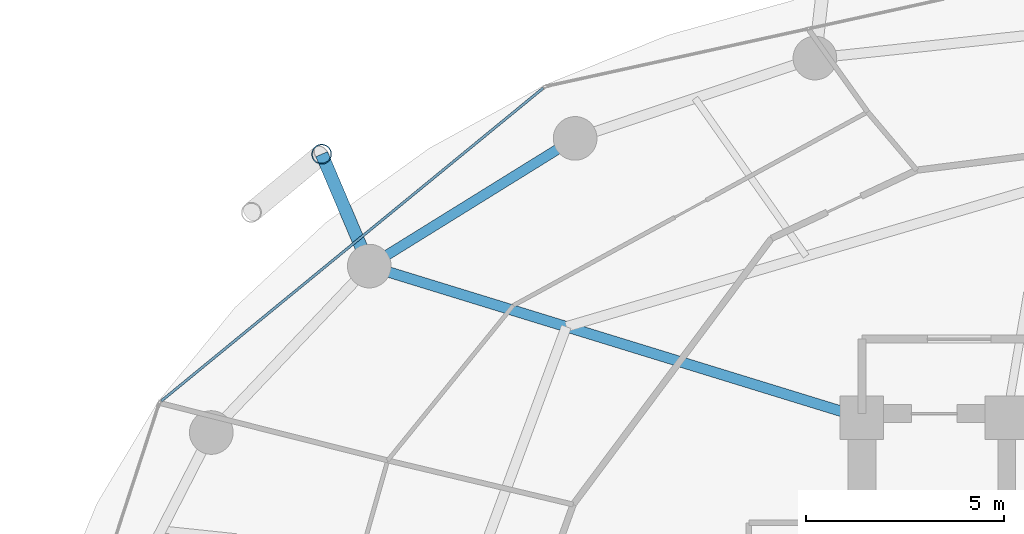
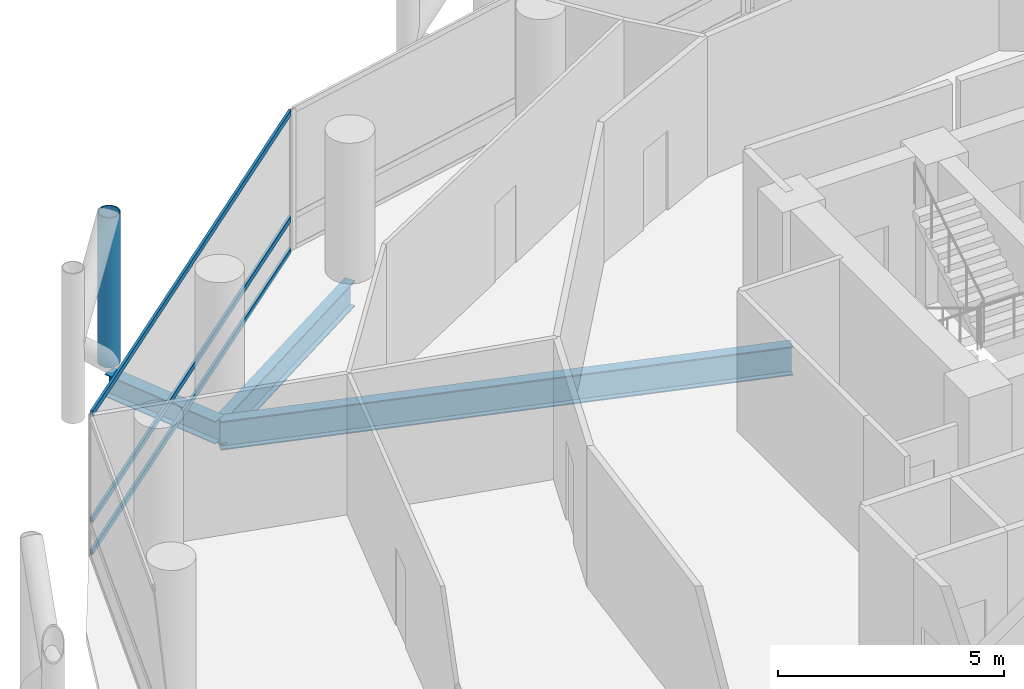
# One storey, part 14 of 24: 4 members, 3 beams, 1 element without a shape of its own.
"""IFC4 building model written with IfcOpenShell, lengths in metres."""

from ifc_helpers import new_model, si_unit, direction, frame, origin, origin_2d, place, context, subcontext, project, spatial, hollow_rectangle, hollow_circle, i_section, extrude, material, layer, layer_set, material_profile, profile_set, type_object, element, aggregate, save


model = new_model("IFC4")

# Units and contexts
model_context = context("Model", 3, precision=1e-05, world=origin(), true_north=direction((0.0, 1.0)))
body_context = subcontext(model_context, "Body", "Model", "MODEL_VIEW")
ifc_project = project(units=[si_unit("LENGTHUNIT", "METRE"), si_unit("AREAUNIT", "SQUARE_METRE"), si_unit("VOLUMEUNIT", "CUBIC_METRE"), si_unit("PLANEANGLEUNIT", "RADIAN"), si_unit("MASSUNIT", "GRAM", prefix="KILO")], contexts=[model_context])

# Site, building, storey
site_placement = place(None, origin())
site = spatial("IfcSite", under=ifc_project, at=site_placement, CompositionType="ELEMENT")
building_placement = place(site_placement, origin())
building = spatial("IfcBuilding", under=site, at=building_placement, Name="Nuhasar Tower", CompositionType="ELEMENT")
storey_placement = place(building_placement, frame((0.0, 0.0, 81.75)))
storey = spatial("IfcBuildingStorey", under=building, at=storey_placement, Name="L19", CompositionType="ELEMENT", Elevation=81.75)

# Beams
ifc_material_1 = material(Name="Steel S355", Category="steel")
ifc_material_profile_1 = material_profile(ifc_material_1, i_section(OverallWidth=0.26611328125, OverallDepth=0.779052734375, WebThickness=0.0166015625, FlangeThickness=0.030029296875, at=origin_2d()), Name="W30X148")
ifc_profile_set_1 = profile_set([ifc_material_profile_1], Name="Steel S355")
beam_type_1 = type_object("IfcBeamType", Name="BM-RAD-W30X148", PredefinedType="BEAM", material=ifc_profile_set_1)
beam_1_placement = place(storey_placement, frame((33.699951171875, 37.300048828125, -0.638916015625), z_axis=(-0.955789576103, 0.294051502653, 0.0), x_axis=(-0.294051502653, -0.955789576103, 0.0)))
element("IfcBeam", 1, at=beam_1_placement, inside=storey, type_object=beam_type_1, Name="L19 Radial Floor Girder 07", PredefinedType="BEAM", context=body_context, shape_type="SweptSolid", body=[
    extrude(i_section(OverallWidth=0.26611328125, OverallDepth=0.779052734375, WebThickness=0.0166015625, FlangeThickness=0.030029296875, at=origin_2d()), origin(), (0.0, 0.0, 1.0), 12.987060546875),
])
ifc_material_profile_2 = material_profile(ifc_material_1, i_section(OverallWidth=0.256103515625, OverallDepth=0.693115234375, WebThickness=0.014404296875, FlangeThickness=0.023681640625, at=origin_2d()), Name="W27X114")
ifc_profile_set_2 = profile_set([ifc_material_profile_2], Name="Steel S355")
beam_type_2 = type_object("IfcBeamType", Name="BM-RING-W27X114", PredefinedType="SPANDREL", material=ifc_profile_set_2)
beam_2_placement = place(storey_placement, frame((26.47509765625, 44.3369140625, -0.596923828125), z_axis=(-0.849795216549, -0.527112976439, 0.0), x_axis=(0.527112976439, -0.849795216549, 0.0)))
element("IfcBeam", 2, at=beam_2_placement, inside=storey, type_object=beam_type_2, Name="L19 Perimeter Ring Spandrel 09", PredefinedType="SPANDREL", context=body_context, shape_type="SweptSolid", body=[
    extrude(i_section(OverallWidth=0.256103515625, OverallDepth=0.693115234375, WebThickness=0.014404296875, FlangeThickness=0.023681640625, at=origin_2d()), origin(), (0.0, 0.0, 1.0), 6.10498046875),
])
ifc_material_profile_3 = material_profile(ifc_material_1, i_section(OverallWidth=0.323974609375, OverallDepth=0.611083984375, WebThickness=0.0126953125, FlangeThickness=0.01904296875, at=origin_2d()), Name="W24X104")
ifc_profile_set_3 = profile_set([ifc_material_profile_3], Name="Steel S355")
beam_type_3 = type_object("IfcBeamType", Name="BM-TIE-W24X104", PredefinedType="BEAM", material=ifc_profile_set_3)
beam_3_placement = place(storey_placement, frame((21.287109375, 41.118896484375, -0.554931640625), z_axis=(-0.391601084021, 0.920135093882, 0.0), x_axis=(-0.920135093882, -0.391601084021, 0.0)))
element("IfcBeam", 3, at=beam_3_placement, inside=storey, type_object=beam_type_3, Name="L19 Exoskeleton Node Tie Beam 05", PredefinedType="BEAM", context=body_context, shape_type="SweptSolid", body=[
    extrude(i_section(OverallWidth=0.323974609375, OverallDepth=0.611083984375, WebThickness=0.0126953125, FlangeThickness=0.01904296875, at=origin_2d()), origin(), (0.0, 0.0, 1.0), 3.06494140625),
])

# Curtain wall, members
ifc_material_2 = material(Name="Aluminium 6063-T6", Category="aluminium")
ifc_layer = layer(ifc_material_2, 0.199951171875)
ifc_layer_set = layer_set([ifc_layer], Name="Aluminium 6063-T6")
curtain_wall_type = type_object("IfcCurtainWallType", Name="CW-Z1-OFF", PredefinedType="NOTDEFINED", material=ifc_layer_set)
curtain_wall_placement = place(storey_placement, origin())
curtain_wall = element("IfcCurtainWall", 4, at=curtain_wall_placement, inside=storey, type_object=curtain_wall_type, Name="L19 Unitised Curtain Wall 05", PredefinedType="NOTDEFINED")
ifc_material_profile_4 = material_profile(ifc_material_2, hollow_rectangle(XDim=0.06494140625, YDim=0.14990234375, WallThickness=0.00439453125, at=origin_2d()), Name="CWT-2")
ifc_profile_set_4 = profile_set([ifc_material_profile_4], Name="Aluminium 6063-T6")
member_type_1 = type_object("IfcMemberType", Name="CW-TRN-S2", PredefinedType="USERDEFINED", material=ifc_profile_set_4)
member_1_placement = place(storey_placement, frame((25.669677734375, 45.603759765625, 0.032470703125), z_axis=(-0.773540851599, -0.633746440548, 0.0), x_axis=(0.633746440548, -0.773540851599, 0.0)))
member_1 = element("IfcMember", 5, at=member_1_placement, type_object=member_type_1, Name="CW-Z1 transom 1.1", ObjectType="TRANSOM", PredefinedType="USERDEFINED", context=body_context, shape_type="SweptSolid", body=[
    extrude(hollow_rectangle(XDim=0.06494140625, YDim=0.14990234375, WallThickness=0.00439453125, at=origin_2d()), origin(), (0.0, 0.0, 1.0), 12.43798828125),
])
member_2_placement = place(storey_placement, frame((25.669677734375, 45.603759765625, 0.89990234375), z_axis=(-0.773540851599, -0.633746440548, 0.0), x_axis=(0.633746440548, -0.773540851599, 0.0)))
member_2 = element("IfcMember", 6, at=member_2_placement, type_object=member_type_1, Name="CW-Z1 transom 1.2", ObjectType="TRANSOM", PredefinedType="USERDEFINED", context=body_context, shape_type="SweptSolid", body=[
    extrude(hollow_rectangle(XDim=0.06494140625, YDim=0.14990234375, WallThickness=0.00439453125, at=origin_2d()), origin(), (0.0, 0.0, 1.0), 12.43798828125),
])
member_3_placement = place(storey_placement, frame((25.669677734375, 45.603759765625, 3.767578125), z_axis=(-0.773540851599, -0.633746440548, 0.0), x_axis=(0.633746440548, -0.773540851599, 0.0)))
member_3 = element("IfcMember", 7, at=member_3_placement, type_object=member_type_1, Name="CW-Z1 transom 1.3", ObjectType="TRANSOM", PredefinedType="USERDEFINED", context=body_context, shape_type="SweptSolid", body=[
    extrude(hollow_rectangle(XDim=0.06494140625, YDim=0.14990234375, WallThickness=0.00439453125, at=origin_2d()), origin(), (0.0, 0.0, 1.0), 12.43798828125),
])
aggregate(curtain_wall, [member_1, member_2, member_3])

# Member
ifc_material_3 = material(Name="Steel S460", Category="steel")
ifc_material_profile_5 = material_profile(ifc_material_3, hollow_circle(Radius=0.25390625, WallThickness=0.025390625, at=origin_2d()), Name="HSS508X25.4")
ifc_profile_set_5 = profile_set([ifc_material_profile_5], Name="Steel S460")
member_type_2 = type_object("IfcMemberType", Name="EXO-BRONZE-508", PredefinedType="BRACE", material=ifc_profile_set_5)
member_4_placement = place(storey_placement, frame((20.0869140625, 43.93896484375, 0.0), z_axis=(0.0, 0.0, 1.0), x_axis=(1.0, 0.0, 0.0)))
element("IfcMember", 8, at=member_4_placement, inside=storey, type_object=member_type_2, Name="L19 Exoskeleton Chord Column EC-05A", PredefinedType="BRACE", context=body_context, shape_type="SweptSolid", body=[
    extrude(hollow_circle(Radius=0.25390625, WallThickness=0.025390625, at=origin_2d()), origin(), (0.0, 0.0, 1.0), 4.050048828125),
])

save(model, "model.ifc")
